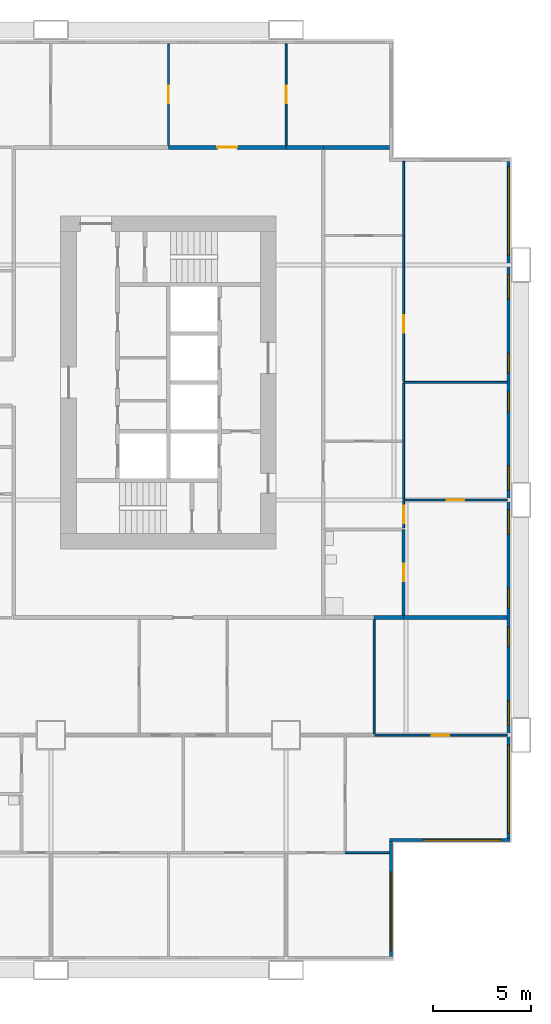
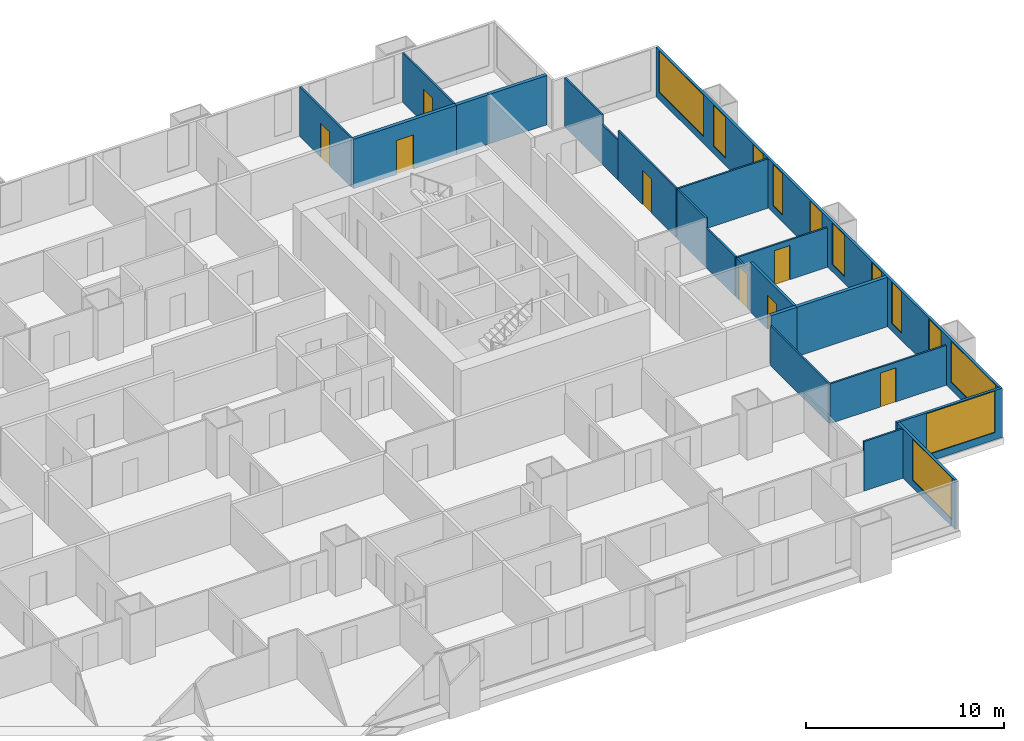
# One storey, part 11 of 14: 22 walls, 12 windows, 8 doors, 20 openings.
"""IFC4 building model written with IfcOpenShell, lengths in metres."""

from ifc_helpers import new_model, si_unit, direction, frame, frame_2d, origin, place, context, subcontext, project, spatial, rectangle, extrude, material, layer, layer_set, type_object, element, fill, save


model = new_model("IFC4")

# Units and contexts
model_context = context("Model", 3, precision=1e-05, world=origin(), true_north=direction((0.0, 1.0)))
body_context = subcontext(model_context, "Body", "Model", "MODEL_VIEW")
ifc_project = project(units=[si_unit("LENGTHUNIT", "METRE"), si_unit("AREAUNIT", "SQUARE_METRE"), si_unit("VOLUMEUNIT", "CUBIC_METRE"), si_unit("PLANEANGLEUNIT", "RADIAN"), si_unit("MASSUNIT", "GRAM", prefix="KILO")], contexts=[model_context])

# Site, building, storey
site_placement = place(None, origin())
site = spatial("IfcSite", under=ifc_project, at=site_placement, CompositionType="ELEMENT")
building_placement = place(site_placement, origin())
building = spatial("IfcBuilding", under=site, at=building_placement, Name="Kitamizu Gate Tower and Museum", CompositionType="ELEMENT")
storey_placement = place(building_placement, frame((0.0, 0.0, 54.14990234375)))
storey = spatial("IfcBuildingStorey", under=building, at=storey_placement, Name="L12", CompositionType="ELEMENT", Elevation=54.14990234375)

# Wall
ifc_material_1 = material(Name="Gypsum board on galvanised stud")
ifc_layer_1 = layer(ifc_material_1, 0.10009765625)
ifc_layer_set_1 = layer_set([ifc_layer_1], Name="Gypsum board on galvanised stud")
wall_type_1 = type_object("IfcWallType", Name="Partition 100 NOT RATED", PredefinedType="PARTITIONING", material=ifc_layer_set_1)
wall_1_placement = place(storey_placement, frame((65.280029296875, 6.0, 0.0), z_axis=(0.0, 0.0, 1.0), x_axis=(-1.0, 0.0, 0.0)))
element("IfcWall", 1, at=wall_1_placement, inside=storey, type_object=wall_type_1, Name="Partition L12-085", PredefinedType="PARTITIONING", context=body_context, shape_type="SweptSolid", body=[
    extrude(rectangle(XDim=2.260009765625, YDim=0.10009765625, at=frame_2d((1.1298828125, 0.0))), origin(), (0.0, 0.0, 1.0), 3.050048828125),
])

# Wall, opening, door
wall_2_placement = place(storey_placement, frame((71.280029296875, 12.0, 0.0), z_axis=(0.0, 0.0, 1.0), x_axis=(-1.0, 0.0, 0.0)))
wall_2 = element("IfcWall", 2, at=wall_2_placement, inside=storey, type_object=wall_type_1, Name="Partition L12-099", PredefinedType="PARTITIONING", context=body_context, shape_type="SweptSolid", body=[
    extrude(rectangle(XDim=6.780029296875, YDim=0.10009765625, at=frame_2d((3.39013671875, 0.0))), origin(), (0.0, 0.0, 1.0), 2.4501953125),
])
opening_1_placement = place(wall_2_placement, frame((2.93994140625, 0.0, 0.0)))
opening_1 = element("IfcOpeningElement", 3, at=opening_1_placement, cuts=wall_2, Name="Opening L12-038", PredefinedType="OPENING", context=body_context, shape_type="SweptSolid", body=[
    extrude(rectangle(XDim=0.89990234375, YDim=2.10009765625, at=frame_2d((0.449951171875, 1.050048828125))), frame((0.0, 0.06005859375, 0.0), z_axis=(0.0, -1.0, 0.0), x_axis=(1.0, 0.0, 0.0)), (0.0, 0.0, 1.0), 0.1201171875),
])
ifc_material_2 = material(Name="Timber door set", Category="wood")
door_type_1 = type_object("IfcDoorType", Name="Room door 900", OperationType="NOTDEFINED", PredefinedType="DOOR", material=ifc_material_2)
door_1_placement = place(opening_1_placement, frame((0.89990234375, 0.0, 0.0), x_axis=(-1.0, 0.0, 0.0)))
door_1 = element("IfcDoor", 4, at=door_1_placement, inside=storey, type_object=door_type_1, Name="Door L12-038", OperationType="SINGLE_SWING_RIGHT", OverallHeight=2.10009765625, OverallWidth=0.89990234375, PredefinedType="DOOR", context=body_context, shape_type="SweptSolid", body=[
    extrude(rectangle(XDim=0.89990234375, YDim=2.10009765625, at=frame_2d((0.449951171875, 1.050048828125))), frame((0.0, 0.02490234375, 0.0), z_axis=(0.0, -1.0, 0.0), x_axis=(1.0, 0.0, 0.0)), (0.0, 0.0, 1.0), 0.050048828125),
])
fill(opening_1, door_1)

# Wall
wall_3_placement = place(storey_placement, frame((64.5, 12.050048828125, 0.0), z_axis=(0.0, 0.0, 1.0), x_axis=(0.0, 1.0, 0.0)))
element("IfcWall", 5, at=wall_3_placement, inside=storey, type_object=wall_type_1, Name="Partition L12-105", PredefinedType="PARTITIONING", context=body_context, shape_type="SweptSolid", body=[
    extrude(rectangle(XDim=5.849853515625, YDim=0.10009765625, at=frame_2d((2.9248046875, 0.0))), origin(), (0.0, 0.0, 1.0), 2.4501953125),
])

# Wall, opening, door
wall_4_placement = place(storey_placement, frame((54.0, 42.10009765625, 0.0), z_axis=(0.0, 0.0, 1.0), x_axis=(0.0, 1.0, 0.0)))
wall_4 = element("IfcWall", 6, at=wall_4_placement, inside=storey, type_object=wall_type_1, Name="Partition L12-178", PredefinedType="PARTITIONING", context=body_context, shape_type="SweptSolid", body=[
    extrude(rectangle(XDim=5.179931640625, YDim=0.10009765625, at=frame_2d((2.58984375, 0.0))), origin(), (0.0, 0.0, 1.0), 3.050048828125),
])
opening_2_placement = place(wall_4_placement, frame((2.139892578125, 0.0, 0.0)))
opening_2 = element("IfcOpeningElement", 7, at=opening_2_placement, cuts=wall_4, Name="Opening L12-065", PredefinedType="OPENING", context=body_context, shape_type="SweptSolid", body=[
    extrude(rectangle(XDim=0.89990234375, YDim=2.10009765625, at=frame_2d((0.449951171875, 1.050048828125))), frame((0.0, 0.06005859375, 0.0), z_axis=(0.0, -1.0, 0.0), x_axis=(1.0, 0.0, 0.0)), (0.0, 0.0, 1.0), 0.1201171875),
])
door_2_placement = place(opening_2_placement, origin())
door_2 = element("IfcDoor", 8, at=door_2_placement, inside=storey, type_object=door_type_1, Name="Door L12-065", OperationType="SINGLE_SWING_LEFT", OverallHeight=2.10009765625, OverallWidth=0.89990234375, PredefinedType="DOOR", context=body_context, shape_type="SweptSolid", body=[
    extrude(rectangle(XDim=0.89990234375, YDim=2.10009765625, at=frame_2d((0.449951171875, 1.050048828125))), frame((0.0, 0.02490234375, 0.0), z_axis=(0.0, -1.0, 0.0), x_axis=(1.0, 0.0, 0.0)), (0.0, 0.0, 1.0), 0.050048828125),
])
fill(opening_2, door_2)

wall_5_placement = place(storey_placement, frame((60.0, 42.10009765625, 0.0), z_axis=(0.0, 0.0, 1.0), x_axis=(0.0, 1.0, 0.0)))
wall_5 = element("IfcWall", 9, at=wall_5_placement, inside=storey, type_object=wall_type_1, Name="Partition L12-180", PredefinedType="PARTITIONING", context=body_context, shape_type="SweptSolid", body=[
    extrude(rectangle(XDim=5.179931640625, YDim=0.10009765625, at=frame_2d((2.58984375, 0.0))), origin(), (0.0, 0.0, 1.0), 3.050048828125),
])
opening_3_placement = place(wall_5_placement, frame((2.139892578125, 0.0, 0.0)))
opening_3 = element("IfcOpeningElement", 10, at=opening_3_placement, cuts=wall_5, Name="Opening L12-064", PredefinedType="OPENING", context=body_context, shape_type="SweptSolid", body=[
    extrude(rectangle(XDim=0.89990234375, YDim=2.10009765625, at=frame_2d((0.449951171875, 1.050048828125))), frame((0.0, 0.06005859375, 0.0), z_axis=(0.0, -1.0, 0.0), x_axis=(1.0, 0.0, 0.0)), (0.0, 0.0, 1.0), 0.1201171875),
])
door_3_placement = place(opening_3_placement, frame((0.89990234375, 0.0, 0.0), x_axis=(-1.0, 0.0, 0.0)))
door_3 = element("IfcDoor", 11, at=door_3_placement, inside=storey, type_object=door_type_1, Name="Door L12-064", OperationType="SINGLE_SWING_LEFT", OverallHeight=2.10009765625, OverallWidth=0.89990234375, PredefinedType="DOOR", context=body_context, shape_type="SweptSolid", body=[
    extrude(rectangle(XDim=0.89990234375, YDim=2.10009765625, at=frame_2d((0.449951171875, 1.050048828125))), frame((0.0, 0.02490234375, 0.0), z_axis=(0.0, -1.0, 0.0), x_axis=(1.0, 0.0, 0.0)), (0.0, 0.0, 1.0), 0.050048828125),
])
fill(opening_3, door_3)

wall_6_placement = place(storey_placement, frame((71.280029296875, 24.0, 0.0), z_axis=(0.0, 0.0, 1.0), x_axis=(-1.0, 0.0, 0.0)))
wall_6 = element("IfcWall", 12, at=wall_6_placement, inside=storey, type_object=wall_type_1, Name="Partition L12-189", PredefinedType="PARTITIONING", context=body_context, shape_type="SweptSolid", body=[
    extrude(rectangle(XDim=5.280029296875, YDim=0.10009765625, at=frame_2d((2.64013671875, 0.0))), origin(), (0.0, 0.0, 1.0), 2.4501953125),
])
opening_4_placement = place(wall_6_placement, frame((2.18994140625, 0.0, 0.0)))
opening_4 = element("IfcOpeningElement", 13, at=opening_4_placement, cuts=wall_6, Name="Opening L12-074", PredefinedType="OPENING", context=body_context, shape_type="SweptSolid", body=[
    extrude(rectangle(XDim=0.89990234375, YDim=2.10009765625, at=frame_2d((0.449951171875, 1.050048828125))), frame((0.0, 0.06005859375, 0.0), z_axis=(0.0, -1.0, 0.0), x_axis=(1.0, 0.0, 0.0)), (0.0, 0.0, 1.0), 0.1201171875),
])
door_4_placement = place(opening_4_placement, origin())
door_4 = element("IfcDoor", 14, at=door_4_placement, inside=storey, type_object=door_type_1, Name="Door L12-074", OperationType="SINGLE_SWING_RIGHT", OverallHeight=2.10009765625, OverallWidth=0.89990234375, PredefinedType="DOOR", context=body_context, shape_type="SweptSolid", body=[
    extrude(rectangle(XDim=0.89990234375, YDim=2.10009765625, at=frame_2d((0.449951171875, 1.050048828125))), frame((0.0, 0.02490234375, 0.0), z_axis=(0.0, -1.0, 0.0), x_axis=(1.0, 0.0, 0.0)), (0.0, 0.0, 1.0), 0.050048828125),
])
fill(opening_4, door_4)

wall_7_placement = place(storey_placement, frame((66.0, 23.949951171875, 0.0), z_axis=(0.0, 0.0, 1.0), x_axis=(0.0, -1.0, 0.0)))
wall_7 = element("IfcWall", 15, at=wall_7_placement, inside=storey, type_object=wall_type_1, Name="Partition L12-191", PredefinedType="PARTITIONING", context=body_context, shape_type="SweptSolid", body=[
    extrude(rectangle(XDim=1.375, YDim=0.10009765625, at=frame_2d((0.6875, 0.0))), origin(), (0.0, 0.0, 1.0), 2.4501953125),
])
opening_5_placement = place(wall_7_placement, frame((0.237548828125, 0.0, 0.0)))
opening_5 = element("IfcOpeningElement", 16, at=opening_5_placement, cuts=wall_7, Name="Opening L12-070", PredefinedType="OPENING", context=body_context, shape_type="SweptSolid", body=[
    extrude(rectangle(XDim=0.89990234375, YDim=2.10009765625, at=frame_2d((0.449951171875, 1.050048828125))), frame((0.0, 0.06005859375, 0.0), z_axis=(0.0, -1.0, 0.0), x_axis=(1.0, 0.0, 0.0)), (0.0, 0.0, 1.0), 0.1201171875),
])
door_5_placement = place(opening_5_placement, origin())
door_5 = element("IfcDoor", 17, at=door_5_placement, inside=storey, type_object=door_type_1, Name="Door L12-070", OperationType="SINGLE_SWING_RIGHT", OverallHeight=2.10009765625, OverallWidth=0.89990234375, PredefinedType="DOOR", context=body_context, shape_type="SweptSolid", body=[
    extrude(rectangle(XDim=0.89990234375, YDim=2.10009765625, at=frame_2d((0.449951171875, 1.050048828125))), frame((0.0, 0.02490234375, 0.0), z_axis=(0.0, -1.0, 0.0), x_axis=(1.0, 0.0, 0.0)), (0.0, 0.0, 1.0), 0.050048828125),
])
fill(opening_5, door_5)

# Walls
wall_8_placement = place(storey_placement, frame((71.280029296875, 30.0, 0.0), z_axis=(0.0, 0.0, 1.0), x_axis=(-1.0, 0.0, 0.0)))
element("IfcWall", 18, at=wall_8_placement, inside=storey, type_object=wall_type_1, Name="Partition L12-192", PredefinedType="PARTITIONING", context=body_context, shape_type="SweptSolid", body=[
    extrude(rectangle(XDim=5.280029296875, YDim=0.10009765625, at=frame_2d((2.64013671875, 0.0))), origin(), (0.0, 0.0, 1.0), 3.050048828125),
])
wall_9_placement = place(storey_placement, frame((66.0, 27.0, 0.0), z_axis=(0.0, 0.0, 1.0), x_axis=(0.0, -1.0, 0.0)))
element("IfcWall", 19, at=wall_9_placement, inside=storey, type_object=wall_type_1, Name="Partition L12-193", PredefinedType="PARTITIONING", context=body_context, shape_type="SweptSolid", body=[
    extrude(rectangle(XDim=2.949951171875, YDim=0.10009765625, at=frame_2d((1.47509765625, 0.0))), origin(), (0.0, 0.0, 1.0), 2.4501953125),
])
wall_10_placement = place(storey_placement, frame((66.0, 29.949951171875, 0.0), z_axis=(0.0, 0.0, 1.0), x_axis=(0.0, -1.0, 0.0)))
element("IfcWall", 20, at=wall_10_placement, inside=storey, type_object=wall_type_1, Name="Partition L12-194", PredefinedType="PARTITIONING", context=body_context, shape_type="SweptSolid", body=[
    extrude(rectangle(XDim=2.949951171875, YDim=0.10009765625, at=frame_2d((1.47509765625, 0.0))), origin(), (0.0, 0.0, 1.0), 3.050048828125),
])
wall_11_placement = place(storey_placement, frame((66.0, 37.5, 0.0), z_axis=(0.0, 0.0, 1.0), x_axis=(0.0, -1.0, 0.0)))
element("IfcWall", 21, at=wall_11_placement, inside=storey, type_object=wall_type_1, Name="Partition L12-195", PredefinedType="PARTITIONING", context=body_context, shape_type="SweptSolid", body=[
    extrude(rectangle(XDim=1.60009765625, YDim=0.10009765625, at=frame_2d((0.800048828125, 0.0))), origin(), (0.0, 0.0, 1.0), 2.4501953125),
])

# Wall, opening, door
wall_12_placement = place(storey_placement, frame((66.0, 35.89990234375, 0.0), z_axis=(0.0, 0.0, 1.0), x_axis=(0.0, -1.0, 0.0)))
wall_12 = element("IfcWall", 22, at=wall_12_placement, inside=storey, type_object=wall_type_1, Name="Partition L12-196", PredefinedType="PARTITIONING", context=body_context, shape_type="SweptSolid", body=[
    extrude(rectangle(XDim=5.849853515625, YDim=0.10009765625, at=frame_2d((2.9248046875, 0.0))), origin(), (0.0, 0.0, 1.0), 3.050048828125),
])
opening_6_placement = place(wall_12_placement, frame((2.47509765625, 0.0, 0.0)))
opening_6 = element("IfcOpeningElement", 23, at=opening_6_placement, cuts=wall_12, Name="Opening L12-072", PredefinedType="OPENING", context=body_context, shape_type="SweptSolid", body=[
    extrude(rectangle(XDim=0.89990234375, YDim=2.10009765625, at=frame_2d((0.449951171875, 1.050048828125))), frame((0.0, 0.06005859375, 0.0), z_axis=(0.0, -1.0, 0.0), x_axis=(1.0, 0.0, 0.0)), (0.0, 0.0, 1.0), 0.1201171875),
])
door_6_placement = place(opening_6_placement, origin())
door_6 = element("IfcDoor", 24, at=door_6_placement, inside=storey, type_object=door_type_1, Name="Door L12-072", OperationType="SINGLE_SWING_RIGHT", OverallHeight=2.10009765625, OverallWidth=0.89990234375, PredefinedType="DOOR", context=body_context, shape_type="SweptSolid", body=[
    extrude(rectangle(XDim=0.89990234375, YDim=2.10009765625, at=frame_2d((0.449951171875, 1.050048828125))), frame((0.0, 0.02490234375, 0.0), z_axis=(0.0, -1.0, 0.0), x_axis=(1.0, 0.0, 0.0)), (0.0, 0.0, 1.0), 0.050048828125),
])
fill(opening_6, door_6)

# Wall
wall_13_placement = place(storey_placement, frame((66.0, 41.280029296875, 0.0), z_axis=(0.0, 0.0, 1.0), x_axis=(0.0, -1.0, 0.0)))
element("IfcWall", 25, at=wall_13_placement, inside=storey, type_object=wall_type_1, Name="Partition L12-197", PredefinedType="PARTITIONING", context=body_context, shape_type="SweptSolid", body=[
    extrude(rectangle(XDim=3.780029296875, YDim=0.10009765625, at=frame_2d((1.89013671875, 0.0))), origin(), (0.0, 0.0, 1.0), 3.050048828125),
])

# Wall, opening, door
ifc_material_3 = material(Name="Gypsum board on galvanised stud")
ifc_layer_2 = layer(ifc_material_3, 0.14990234375)
ifc_layer_set_2 = layer_set([ifc_layer_2], Name="Gypsum board on galvanised stud")
wall_type_2 = type_object("IfcWallType", Name="Partition 150", PredefinedType="PARTITIONING", material=ifc_layer_set_2)
wall_14_placement = place(storey_placement, frame((66.0, 22.5, 0.0), z_axis=(0.0, 0.0, 1.0), x_axis=(0.0, -1.0, 0.0)))
wall_14 = element("IfcWall", 26, at=wall_14_placement, inside=storey, type_object=wall_type_2, Name="Partition L12-190", PredefinedType="PARTITIONING", context=body_context, shape_type="SweptSolid", body=[
    extrude(rectangle(XDim=4.39990234375, YDim=0.14990234375, at=frame_2d((2.199951171875, 0.0))), origin(), (0.0, 0.0, 1.0), 3.050048828125),
])
opening_7_placement = place(wall_14_placement, frame((1.75, 0.0, 0.0)))
opening_7 = element("IfcOpeningElement", 27, at=opening_7_placement, cuts=wall_14, Name="Opening L12-073", PredefinedType="OPENING", context=body_context, shape_type="SweptSolid", body=[
    extrude(rectangle(XDim=0.89990234375, YDim=2.10009765625, at=frame_2d((0.449951171875, 1.050048828125))), frame((0.0, 0.0849609375, 0.0), z_axis=(0.0, -1.0, 0.0), x_axis=(1.0, 0.0, 0.0)), (0.0, 0.0, 1.0), 0.169921875),
])
ifc_material_4 = material(Name="Timber door set", Category="wood")
door_type_2 = type_object("IfcDoorType", Name="Bathroom door 900", OperationType="NOTDEFINED", PredefinedType="DOOR", material=ifc_material_4)
door_7_placement = place(opening_7_placement, frame((0.89990234375, 0.0, 0.0), x_axis=(-1.0, 0.0, 0.0)))
door_7 = element("IfcDoor", 28, at=door_7_placement, inside=storey, type_object=door_type_2, Name="Bathroom door L12-073", OperationType="SINGLE_SWING_RIGHT", OverallHeight=2.10009765625, OverallWidth=0.89990234375, PredefinedType="DOOR", context=body_context, shape_type="SweptSolid", body=[
    extrude(rectangle(XDim=0.89990234375, YDim=2.10009765625, at=frame_2d((0.449951171875, 1.050048828125))), frame((0.0, 0.02490234375, 0.0), z_axis=(0.0, -1.0, 0.0), x_axis=(1.0, 0.0, 0.0)), (0.0, 0.0, 1.0), 0.050048828125),
])
fill(opening_7, door_7)

# Walls
ifc_material_5 = material(Name="Gypsum board on galvanised stud")
ifc_layer_3 = layer(ifc_material_5, 0.199951171875)
ifc_layer_set_3 = layer_set([ifc_layer_3], Name="Gypsum board on galvanised stud")
wall_type_3 = type_object("IfcWallType", Name="Partition 200", PredefinedType="PARTITIONING", material=ifc_layer_set_3)
wall_15_placement = place(storey_placement, frame((71.280029296875, 18.0, 0.0), z_axis=(0.0, 0.0, 1.0), x_axis=(-1.0, 0.0, 0.0)))
element("IfcWall", 29, at=wall_15_placement, inside=storey, type_object=wall_type_3, Name="Partition L12-108", PredefinedType="PARTITIONING", context=body_context, shape_type="SweptSolid", body=[
    extrude(rectangle(XDim=5.280029296875, YDim=0.199951171875, at=frame_2d((2.64013671875, 0.0))), origin(), (0.0, 0.0, 1.0), 3.050048828125),
])
wall_16_placement = place(storey_placement, frame((66.0, 18.0, 0.0), z_axis=(0.0, 0.0, 1.0), x_axis=(-1.0, 0.0, 0.0)))
element("IfcWall", 30, at=wall_16_placement, inside=storey, type_object=wall_type_3, Name="Partition L12-109", PredefinedType="PARTITIONING", context=body_context, shape_type="SweptSolid", body=[
    extrude(rectangle(XDim=1.5, YDim=0.199951171875, at=frame_2d((0.75, 0.0))), origin(), (0.0, 0.0, 1.0), 3.050048828125),
])

# Wall, opening, door
wall_17_placement = place(storey_placement, frame((54.0, 42.0, 0.0), z_axis=(0.0, 0.0, 1.0), x_axis=(1.0, 0.0, 0.0)))
wall_17 = element("IfcWall", 31, at=wall_17_placement, inside=storey, type_object=wall_type_3, Name="Partition L12-181", PredefinedType="PARTITIONING", context=body_context, shape_type="SweptSolid", body=[
    extrude(rectangle(XDim=6.0, YDim=0.199951171875, at=frame_2d((3.0, 0.0))), origin(), (0.0, 0.0, 1.0), 3.050048828125),
])
opening_8_placement = place(wall_17_placement, frame((2.5, 0.0, 0.0)))
opening_8 = element("IfcOpeningElement", 32, at=opening_8_placement, cuts=wall_17, Name="Opening L12-063", PredefinedType="OPENING", context=body_context, shape_type="SweptSolid", body=[
    extrude(rectangle(XDim=1.0, YDim=2.10009765625, at=frame_2d((0.5, 1.050048828125))), frame((0.0, 0.10986328125, 0.0), z_axis=(0.0, -1.0, 0.0), x_axis=(1.0, 0.0, 0.0)), (0.0, 0.0, 1.0), 0.219970703125),
])
ifc_material_6 = material(Name="Timber door set", Category="wood")
door_type_3 = type_object("IfcDoorType", Name="Flat entrance door 1000", OperationType="NOTDEFINED", PredefinedType="DOOR", material=ifc_material_6)
door_8_placement = place(opening_8_placement, origin())
door_8 = element("IfcDoor", 33, at=door_8_placement, inside=storey, type_object=door_type_3, Name="Flat entrance door L12-063", OperationType="SINGLE_SWING_LEFT", OverallHeight=2.10009765625, OverallWidth=1.0, PredefinedType="DOOR", context=body_context, shape_type="SweptSolid", body=[
    extrude(rectangle(XDim=1.0, YDim=2.10009765625, at=frame_2d((0.5, 1.050048828125))), frame((0.0, 0.02490234375, 0.0), z_axis=(0.0, -1.0, 0.0), x_axis=(1.0, 0.0, 0.0)), (0.0, 0.0, 1.0), 0.050048828125),
])
fill(opening_8, door_8)

# Walls
wall_18_placement = place(storey_placement, frame((61.89990234375, 42.0, 0.0), z_axis=(0.0, 0.0, 1.0), x_axis=(1.0, 0.0, 0.0)))
element("IfcWall", 34, at=wall_18_placement, inside=storey, type_object=wall_type_3, Name="Partition L12-182", PredefinedType="PARTITIONING", context=body_context, shape_type="SweptSolid", body=[
    extrude(rectangle(XDim=3.380126953125, YDim=0.199951171875, at=frame_2d((1.68994140625, 0.0))), origin(), (0.0, 0.0, 1.0), 3.050048828125),
])
wall_19_placement = place(storey_placement, frame((60.0, 42.0, 0.0), z_axis=(0.0, 0.0, 1.0), x_axis=(1.0, 0.0, 0.0)))
element("IfcWall", 35, at=wall_19_placement, inside=storey, type_object=wall_type_3, Name="Partition L12-183", PredefinedType="PARTITIONING", context=body_context, shape_type="SweptSolid", body=[
    extrude(rectangle(XDim=1.89990234375, YDim=0.199951171875, at=frame_2d((0.949951171875, 0.0))), origin(), (0.0, 0.0, 1.0), 3.050048828125),
])

# Wall, opening, window
ifc_material_7 = material(Name="Bronze anodised aluminium frame with insulated spandrel and tinted glass", Category="aluminium")
ifc_layer_4 = layer(ifc_material_7, 0.14990234375)
ifc_layer_set_4 = layer_set([ifc_layer_4], Name="Bronze anodised aluminium frame with insulated spandrel and tinted glass")
wall_type_4 = type_object("IfcWallType", Name="WINDOW WALL 150 BRONZE FRAME EI 30", PredefinedType="ELEMENTEDWALL", material=ifc_layer_set_4)
wall_20_placement = place(storey_placement, frame((65.364990234375, 0.7099609375, 0.0), z_axis=(0.0, 0.0, 1.0), x_axis=(0.0, 1.0, 0.0)))
wall_20 = element("IfcWall", 36, at=wall_20_placement, inside=storey, type_object=wall_type_4, Name="Window wall east L12", PredefinedType="ELEMENTEDWALL", context=body_context, shape_type="SweptSolid", body=[
    extrude(rectangle(XDim=5.85009765625, YDim=0.14990234375, at=frame_2d((2.925048828125, 0.0))), origin(), (0.0, 0.0, 1.0), 3.050048828125),
])
opening_9_placement = place(wall_20_placement, frame((0.2900390625, 0.0, 0.449951171875)))
opening_9 = element("IfcOpeningElement", 37, at=opening_9_placement, cuts=wall_20, Name="Opening W16", PredefinedType="OPENING", context=body_context, shape_type="SweptSolid", body=[
    extrude(rectangle(XDim=4.0, YDim=2.550048828125, at=frame_2d((2.0, 1.27490234375))), frame((0.0, 0.0849609375, 0.0), z_axis=(0.0, -1.0, 0.0), x_axis=(1.0, 0.0, 0.0)), (0.0, 0.0, 1.0), 0.169921875),
])
ifc_material_8 = material(Name="Bronze anodised aluminium frame, tinted triple glazing", Category="aluminium")
window_type_1 = type_object("IfcWindowType", Name="WINDOW 4000 x 2550 SILL 450", PartitioningType="SINGLE_PANEL", PredefinedType="WINDOW", material=ifc_material_8)
window_1_placement = place(opening_9_placement, origin())
window_1 = element("IfcWindow", 38, at=window_1_placement, inside=storey, type_object=window_type_1, Name="Window W16 L12", OverallHeight=2.550048828125, OverallWidth=4.0, PartitioningType="SINGLE_PANEL", PredefinedType="WINDOW", context=body_context, shape_type="SweptSolid", body=[
    extrude(rectangle(XDim=4.0, YDim=2.550048828125, at=frame_2d((2.0, 1.27490234375))), frame((0.0, 0.030029296875, 0.0), z_axis=(0.0, -1.0, 0.0), x_axis=(1.0, 0.0, 0.0)), (0.0, 0.0, 1.0), 0.06005859375),
])
fill(opening_9, window_1)

wall_21_placement = place(storey_placement, frame((65.2900390625, 6.635009765625, 0.0), z_axis=(0.0, 0.0, 1.0), x_axis=(1.0, 0.0, 0.0)))
wall_21 = element("IfcWall", 39, at=wall_21_placement, inside=storey, type_object=wall_type_4, Name="Window wall south L12", PredefinedType="ELEMENTEDWALL", context=body_context, shape_type="SweptSolid", body=[
    extrude(rectangle(XDim=6.14990234375, YDim=0.14990234375, at=frame_2d((3.074951171875, 0.0))), origin(), (0.0, 0.0, 1.0), 3.050048828125),
])
opening_10_placement = place(wall_21_placement, frame((1.7099609375, 0.0, 0.449951171875)))
opening_10 = element("IfcOpeningElement", 40, at=opening_10_placement, cuts=wall_21, Name="Opening W16", PredefinedType="OPENING", context=body_context, shape_type="SweptSolid", body=[
    extrude(rectangle(XDim=4.0, YDim=2.550048828125, at=frame_2d((2.0, 1.27490234375))), frame((0.0, 0.0849609375, 0.0), z_axis=(0.0, -1.0, 0.0), x_axis=(1.0, 0.0, 0.0)), (0.0, 0.0, 1.0), 0.169921875),
])
window_2_placement = place(opening_10_placement, origin())
window_2 = element("IfcWindow", 41, at=window_2_placement, inside=storey, type_object=window_type_1, Name="Window W16 L12", OverallHeight=2.550048828125, OverallWidth=4.0, PartitioningType="SINGLE_PANEL", PredefinedType="WINDOW", context=body_context, shape_type="SweptSolid", body=[
    extrude(rectangle(XDim=4.0, YDim=2.550048828125, at=frame_2d((2.0, 1.27490234375))), frame((0.0, 0.030029296875, 0.0), z_axis=(0.0, -1.0, 0.0), x_axis=(1.0, 0.0, 0.0)), (0.0, 0.0, 1.0), 0.06005859375),
])
fill(opening_10, window_2)

# Wall, openings, windows
wall_22_placement = place(storey_placement, frame((71.364990234375, 6.7099609375, 0.0), z_axis=(0.0, 0.0, 1.0), x_axis=(0.0, 1.0, 0.0)))
wall_22 = element("IfcWall", 42, at=wall_22_placement, inside=storey, type_object=wall_type_4, Name="Window wall east L12", PredefinedType="ELEMENTEDWALL", context=body_context, shape_type="SweptSolid", body=[
    extrude(rectangle(XDim=34.580078125, YDim=0.14990234375, at=frame_2d((17.2900390625, 0.0))), origin(), (0.0, 0.0, 1.0), 3.050048828125),
])
opening_11_placement = place(wall_22_placement, frame((0.2900390625, 0.0, 0.449951171875)))
opening_11 = element("IfcOpeningElement", 43, at=opening_11_placement, cuts=wall_22, Name="Opening W15", PredefinedType="OPENING", context=body_context, shape_type="SweptSolid", body=[
    extrude(rectangle(XDim=4.5, YDim=2.550048828125, at=frame_2d((2.25, 1.27490234375))), frame((0.0, 0.0849609375, 0.0), z_axis=(0.0, -1.0, 0.0), x_axis=(1.0, 0.0, 0.0)), (0.0, 0.0, 1.0), 0.169921875),
])
opening_12_placement = place(wall_22_placement, frame((5.7900390625, 0.0, 0.449951171875)))
opening_12 = element("IfcOpeningElement", 44, at=opening_12_placement, cuts=wall_22, Name="Opening W27", PredefinedType="OPENING", context=body_context, shape_type="SweptSolid", body=[
    extrude(rectangle(XDim=1.25, YDim=2.550048828125, at=frame_2d((0.625, 1.27490234375))), frame((0.0, 0.0849609375, 0.0), z_axis=(0.0, -1.0, 0.0), x_axis=(1.0, 0.0, 0.0)), (0.0, 0.0, 1.0), 0.169921875),
])
opening_13_placement = place(wall_22_placement, frame((9.7900390625, 0.0, 0.449951171875)))
opening_13 = element("IfcOpeningElement", 45, at=opening_13_placement, cuts=wall_22, Name="Opening W26", PredefinedType="OPENING", context=body_context, shape_type="SweptSolid", body=[
    extrude(rectangle(XDim=1.0, YDim=2.550048828125, at=frame_2d((0.5, 1.27490234375))), frame((0.0, 0.0849609375, 0.0), z_axis=(0.0, -1.0, 0.0), x_axis=(1.0, 0.0, 0.0)), (0.0, 0.0, 1.0), 0.169921875),
])
opening_14_placement = place(wall_22_placement, frame((11.7900390625, 0.0, 0.449951171875)))
opening_14 = element("IfcOpeningElement", 46, at=opening_14_placement, cuts=wall_22, Name="Opening W26", PredefinedType="OPENING", context=body_context, shape_type="SweptSolid", body=[
    extrude(rectangle(XDim=1.0, YDim=2.550048828125, at=frame_2d((0.5, 1.27490234375))), frame((0.0, 0.0849609375, 0.0), z_axis=(0.0, -1.0, 0.0), x_axis=(1.0, 0.0, 0.0)), (0.0, 0.0, 1.0), 0.169921875),
])
opening_15_placement = place(wall_22_placement, frame((15.5400390625, 0.0, 0.449951171875)))
opening_15 = element("IfcOpeningElement", 47, at=opening_15_placement, cuts=wall_22, Name="Opening W27", PredefinedType="OPENING", context=body_context, shape_type="SweptSolid", body=[
    extrude(rectangle(XDim=1.25, YDim=2.550048828125, at=frame_2d((0.625, 1.27490234375))), frame((0.0, 0.0849609375, 0.0), z_axis=(0.0, -1.0, 0.0), x_axis=(1.0, 0.0, 0.0)), (0.0, 0.0, 1.0), 0.169921875),
])
opening_16_placement = place(wall_22_placement, frame((17.7900390625, 0.0, 0.449951171875)))
opening_16 = element("IfcOpeningElement", 48, at=opening_16_placement, cuts=wall_22, Name="Opening W27", PredefinedType="OPENING", context=body_context, shape_type="SweptSolid", body=[
    extrude(rectangle(XDim=1.25, YDim=2.550048828125, at=frame_2d((0.625, 1.27490234375))), frame((0.0, 0.0849609375, 0.0), z_axis=(0.0, -1.0, 0.0), x_axis=(1.0, 0.0, 0.0)), (0.0, 0.0, 1.0), 0.169921875),
])
opening_17_placement = place(wall_22_placement, frame((21.7900390625, 0.0, 0.449951171875)))
opening_17 = element("IfcOpeningElement", 49, at=opening_17_placement, cuts=wall_22, Name="Opening W26", PredefinedType="OPENING", context=body_context, shape_type="SweptSolid", body=[
    extrude(rectangle(XDim=1.0, YDim=2.550048828125, at=frame_2d((0.5, 1.27490234375))), frame((0.0, 0.0849609375, 0.0), z_axis=(0.0, -1.0, 0.0), x_axis=(1.0, 0.0, 0.0)), (0.0, 0.0, 1.0), 0.169921875),
])
opening_18_placement = place(wall_22_placement, frame((23.7900390625, 0.0, 0.449951171875)))
opening_18 = element("IfcOpeningElement", 50, at=opening_18_placement, cuts=wall_22, Name="Opening W26", PredefinedType="OPENING", context=body_context, shape_type="SweptSolid", body=[
    extrude(rectangle(XDim=1.0, YDim=2.550048828125, at=frame_2d((0.5, 1.27490234375))), frame((0.0, 0.0849609375, 0.0), z_axis=(0.0, -1.0, 0.0), x_axis=(1.0, 0.0, 0.0)), (0.0, 0.0, 1.0), 0.169921875),
])
opening_19_placement = place(wall_22_placement, frame((27.5400390625, 0.0, 0.449951171875)))
opening_19 = element("IfcOpeningElement", 51, at=opening_19_placement, cuts=wall_22, Name="Opening W27", PredefinedType="OPENING", context=body_context, shape_type="SweptSolid", body=[
    extrude(rectangle(XDim=1.25, YDim=2.550048828125, at=frame_2d((0.625, 1.27490234375))), frame((0.0, 0.0849609375, 0.0), z_axis=(0.0, -1.0, 0.0), x_axis=(1.0, 0.0, 0.0)), (0.0, 0.0, 1.0), 0.169921875),
])
opening_20_placement = place(wall_22_placement, frame((29.7900390625, 0.0, 0.449951171875)))
opening_20 = element("IfcOpeningElement", 52, at=opening_20_placement, cuts=wall_22, Name="Opening W15", PredefinedType="OPENING", context=body_context, shape_type="SweptSolid", body=[
    extrude(rectangle(XDim=4.5, YDim=2.550048828125, at=frame_2d((2.25, 1.27490234375))), frame((0.0, 0.0849609375, 0.0), z_axis=(0.0, -1.0, 0.0), x_axis=(1.0, 0.0, 0.0)), (0.0, 0.0, 1.0), 0.169921875),
])
ifc_material_9 = material(Name="Bronze anodised aluminium frame, tinted triple glazing", Category="aluminium")
window_type_2 = type_object("IfcWindowType", Name="WINDOW 1000 x 2550 SILL 450", PartitioningType="SINGLE_PANEL", PredefinedType="WINDOW", material=ifc_material_9)
window_3_placement = place(opening_13_placement, origin())
window_3 = element("IfcWindow", 53, at=window_3_placement, inside=storey, type_object=window_type_2, Name="Window W26 L12", OverallHeight=2.550048828125, OverallWidth=1.0, PartitioningType="SINGLE_PANEL", PredefinedType="WINDOW", context=body_context, shape_type="SweptSolid", body=[
    extrude(rectangle(XDim=1.0, YDim=2.550048828125, at=frame_2d((0.5, 1.27490234375))), frame((0.0, 0.030029296875, 0.0), z_axis=(0.0, -1.0, 0.0), x_axis=(1.0, 0.0, 0.0)), (0.0, 0.0, 1.0), 0.06005859375),
])
fill(opening_13, window_3)
window_4_placement = place(opening_14_placement, origin())
window_4 = element("IfcWindow", 54, at=window_4_placement, inside=storey, type_object=window_type_2, Name="Window W26 L12", OverallHeight=2.550048828125, OverallWidth=1.0, PartitioningType="SINGLE_PANEL", PredefinedType="WINDOW", context=body_context, shape_type="SweptSolid", body=[
    extrude(rectangle(XDim=1.0, YDim=2.550048828125, at=frame_2d((0.5, 1.27490234375))), frame((0.0, 0.030029296875, 0.0), z_axis=(0.0, -1.0, 0.0), x_axis=(1.0, 0.0, 0.0)), (0.0, 0.0, 1.0), 0.06005859375),
])
fill(opening_14, window_4)
window_5_placement = place(opening_17_placement, origin())
window_5 = element("IfcWindow", 55, at=window_5_placement, inside=storey, type_object=window_type_2, Name="Window W26 L12", OverallHeight=2.550048828125, OverallWidth=1.0, PartitioningType="SINGLE_PANEL", PredefinedType="WINDOW", context=body_context, shape_type="SweptSolid", body=[
    extrude(rectangle(XDim=1.0, YDim=2.550048828125, at=frame_2d((0.5, 1.27490234375))), frame((0.0, 0.030029296875, 0.0), z_axis=(0.0, -1.0, 0.0), x_axis=(1.0, 0.0, 0.0)), (0.0, 0.0, 1.0), 0.06005859375),
])
fill(opening_17, window_5)
window_6_placement = place(opening_18_placement, origin())
window_6 = element("IfcWindow", 56, at=window_6_placement, inside=storey, type_object=window_type_2, Name="Window W26 L12", OverallHeight=2.550048828125, OverallWidth=1.0, PartitioningType="SINGLE_PANEL", PredefinedType="WINDOW", context=body_context, shape_type="SweptSolid", body=[
    extrude(rectangle(XDim=1.0, YDim=2.550048828125, at=frame_2d((0.5, 1.27490234375))), frame((0.0, 0.030029296875, 0.0), z_axis=(0.0, -1.0, 0.0), x_axis=(1.0, 0.0, 0.0)), (0.0, 0.0, 1.0), 0.06005859375),
])
fill(opening_18, window_6)
ifc_material_10 = material(Name="Bronze anodised aluminium frame, tinted triple glazing", Category="aluminium")
window_type_3 = type_object("IfcWindowType", Name="WINDOW 1250 x 2550 SILL 450", PartitioningType="SINGLE_PANEL", PredefinedType="WINDOW", material=ifc_material_10)
window_7_placement = place(opening_12_placement, origin())
window_7 = element("IfcWindow", 57, at=window_7_placement, inside=storey, type_object=window_type_3, Name="Window W27 L12", OverallHeight=2.550048828125, OverallWidth=1.25, PartitioningType="SINGLE_PANEL", PredefinedType="WINDOW", context=body_context, shape_type="SweptSolid", body=[
    extrude(rectangle(XDim=1.25, YDim=2.550048828125, at=frame_2d((0.625, 1.27490234375))), frame((0.0, 0.030029296875, 0.0), z_axis=(0.0, -1.0, 0.0), x_axis=(1.0, 0.0, 0.0)), (0.0, 0.0, 1.0), 0.06005859375),
])
fill(opening_12, window_7)
window_8_placement = place(opening_15_placement, origin())
window_8 = element("IfcWindow", 58, at=window_8_placement, inside=storey, type_object=window_type_3, Name="Window W27 L12", OverallHeight=2.550048828125, OverallWidth=1.25, PartitioningType="SINGLE_PANEL", PredefinedType="WINDOW", context=body_context, shape_type="SweptSolid", body=[
    extrude(rectangle(XDim=1.25, YDim=2.550048828125, at=frame_2d((0.625, 1.27490234375))), frame((0.0, 0.030029296875, 0.0), z_axis=(0.0, -1.0, 0.0), x_axis=(1.0, 0.0, 0.0)), (0.0, 0.0, 1.0), 0.06005859375),
])
fill(opening_15, window_8)
window_9_placement = place(opening_16_placement, origin())
window_9 = element("IfcWindow", 59, at=window_9_placement, inside=storey, type_object=window_type_3, Name="Window W27 L12", OverallHeight=2.550048828125, OverallWidth=1.25, PartitioningType="SINGLE_PANEL", PredefinedType="WINDOW", context=body_context, shape_type="SweptSolid", body=[
    extrude(rectangle(XDim=1.25, YDim=2.550048828125, at=frame_2d((0.625, 1.27490234375))), frame((0.0, 0.030029296875, 0.0), z_axis=(0.0, -1.0, 0.0), x_axis=(1.0, 0.0, 0.0)), (0.0, 0.0, 1.0), 0.06005859375),
])
fill(opening_16, window_9)
window_10_placement = place(opening_19_placement, origin())
window_10 = element("IfcWindow", 60, at=window_10_placement, inside=storey, type_object=window_type_3, Name="Window W27 L12", OverallHeight=2.550048828125, OverallWidth=1.25, PartitioningType="SINGLE_PANEL", PredefinedType="WINDOW", context=body_context, shape_type="SweptSolid", body=[
    extrude(rectangle(XDim=1.25, YDim=2.550048828125, at=frame_2d((0.625, 1.27490234375))), frame((0.0, 0.030029296875, 0.0), z_axis=(0.0, -1.0, 0.0), x_axis=(1.0, 0.0, 0.0)), (0.0, 0.0, 1.0), 0.06005859375),
])
fill(opening_19, window_10)
ifc_material_11 = material(Name="Bronze anodised aluminium frame, tinted triple glazing", Category="aluminium")
window_type_4 = type_object("IfcWindowType", Name="WINDOW 4500 x 2550 SILL 450", PartitioningType="SINGLE_PANEL", PredefinedType="WINDOW", material=ifc_material_11)
window_11_placement = place(opening_11_placement, origin())
window_11 = element("IfcWindow", 61, at=window_11_placement, inside=storey, type_object=window_type_4, Name="Window W15 L12", OverallHeight=2.550048828125, OverallWidth=4.5, PartitioningType="SINGLE_PANEL", PredefinedType="WINDOW", context=body_context, shape_type="SweptSolid", body=[
    extrude(rectangle(XDim=4.5, YDim=2.550048828125, at=frame_2d((2.25, 1.27490234375))), frame((0.0, 0.030029296875, 0.0), z_axis=(0.0, -1.0, 0.0), x_axis=(1.0, 0.0, 0.0)), (0.0, 0.0, 1.0), 0.06005859375),
])
fill(opening_11, window_11)
window_12_placement = place(opening_20_placement, origin())
window_12 = element("IfcWindow", 62, at=window_12_placement, inside=storey, type_object=window_type_4, Name="Window W15 L12", OverallHeight=2.550048828125, OverallWidth=4.5, PartitioningType="SINGLE_PANEL", PredefinedType="WINDOW", context=body_context, shape_type="SweptSolid", body=[
    extrude(rectangle(XDim=4.5, YDim=2.550048828125, at=frame_2d((2.25, 1.27490234375))), frame((0.0, 0.030029296875, 0.0), z_axis=(0.0, -1.0, 0.0), x_axis=(1.0, 0.0, 0.0)), (0.0, 0.0, 1.0), 0.06005859375),
])
fill(opening_20, window_12)

save(model, "model.ifc")
